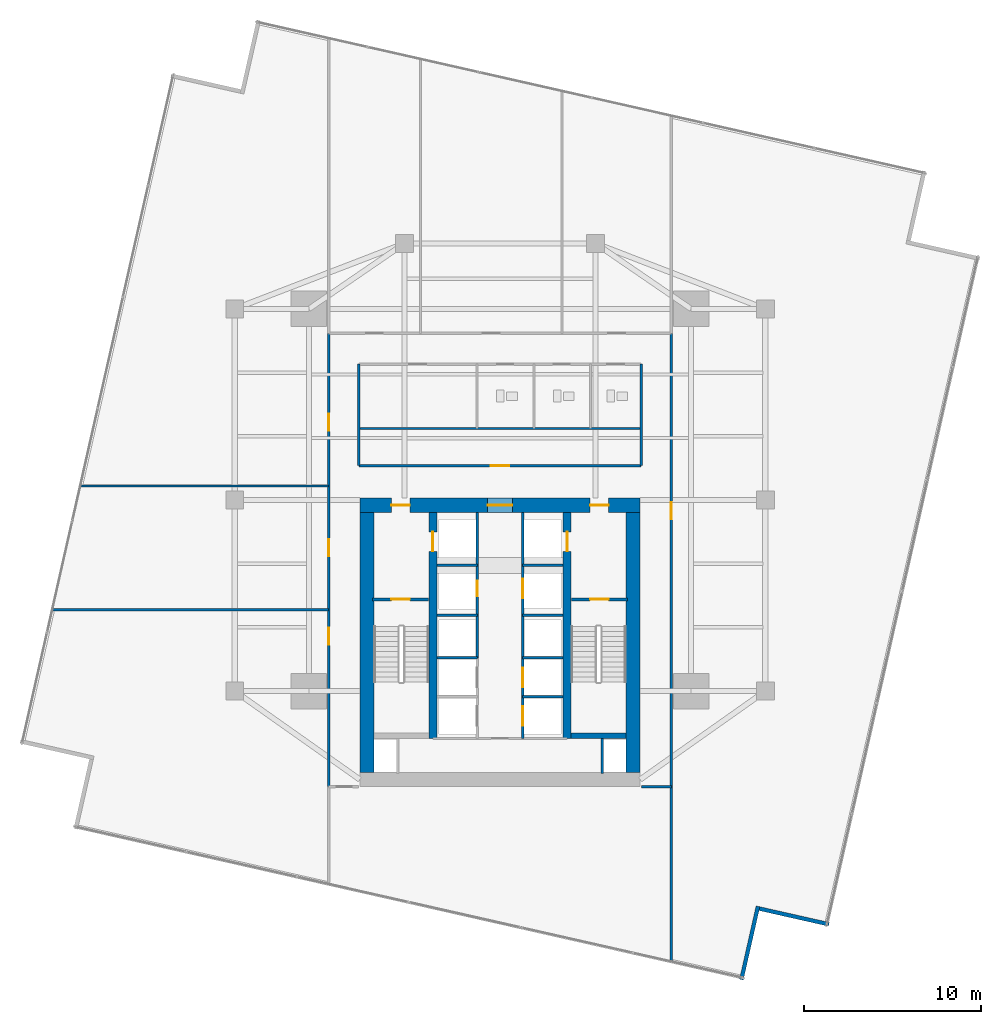
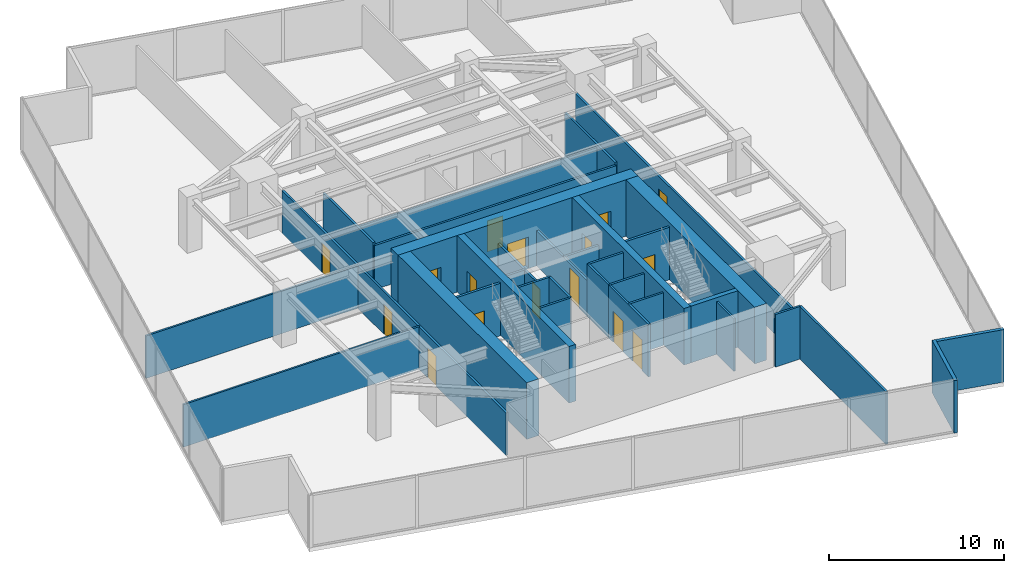
# One storey, part 23 of 27: 33 walls, 16 doors, 16 openings.
"""IFC4 building model written with IfcOpenShell, lengths in metres."""

from ifc_helpers import new_model, si_unit, direction, frame, frame_2d, origin, place, context, subcontext, project, spatial, rectangle, extrude, material, layer, layer_set, type_object, element, fill, save


model = new_model("IFC4")

# Units and contexts
model_context = context("Model", 3, precision=1e-05, world=origin(), true_north=direction((0.0, 1.0)))
body_context = subcontext(model_context, "Body", "Model", "MODEL_VIEW")
ifc_project = project(units=[si_unit("LENGTHUNIT", "METRE"), si_unit("AREAUNIT", "SQUARE_METRE"), si_unit("VOLUMEUNIT", "CUBIC_METRE"), si_unit("PLANEANGLEUNIT", "RADIAN"), si_unit("MASSUNIT", "GRAM", prefix="KILO")], contexts=[model_context])

# Site, building, storey
site_placement = place(None, origin())
site = spatial("IfcSite", under=ifc_project, at=site_placement, CompositionType="ELEMENT")
building_placement = place(site_placement, origin())
building = spatial("IfcBuilding", under=site, at=building_placement, Name="Krantzveldt Concourse Tower", CompositionType="ELEMENT")
storey_placement = place(building_placement, frame((0.0, 0.0, 86.10009765625)))
storey = spatial("IfcBuildingStorey", under=building, at=storey_placement, Name="L20", CompositionType="ELEMENT", Elevation=86.10009765625)

# Walls
ifc_material_1 = material(Name="Anodised aluminium 6063-T6", Category="aluminium")
ifc_layer_1 = layer(ifc_material_1, 0.219970703125, Name="Anodised aluminium 6063-T6", Category="aluminium")
ifc_layer_set_1 = layer_set([ifc_layer_1], Name="Anodised aluminium 6063-T6 (WL-EXT-NOTCH220)")
wall_type_1 = type_object("IfcWallType", Name="WL-EXT-NOTCH220", PredefinedType="ELEMENTEDWALL", material=ifc_layer_set_1)
wall_1_placement = place(storey_placement, frame((49.64453125, -0.404541015625, 0.0), z_axis=(0.0, 0.0, 1.0), x_axis=(0.220686293035, 0.975344841616, 0.0)))
element("IfcWall", 1, at=wall_1_placement, inside=storey, type_object=wall_type_1, Name="EW-L20-NCH05", PredefinedType="ELEMENTEDWALL", context=body_context, shape_type="SweptSolid", body=[
    extrude(rectangle(XDim=4.244873046875, YDim=0.219970703125, at=frame_2d((2.12255859375, 0.0))), origin(), (0.0, 0.0, 1.0), 3.669921875),
])
wall_2_placement = place(storey_placement, frame((50.664306640625, 3.60400390625, 0.0), z_axis=(0.0, 0.0, 1.0), x_axis=(0.975349272951, -0.2206667074, 0.0)))
element("IfcWall", 2, at=wall_2_placement, inside=storey, type_object=wall_type_1, Name="EW-L20-NCH06", PredefinedType="ELEMENTEDWALL", context=body_context, shape_type="SweptSolid", body=[
    extrude(rectangle(XDim=4.02490234375, YDim=0.219970703125, at=frame_2d((2.012451171875, 0.0))), origin(), (0.0, 0.0, 1.0), 3.669921875),
])
ifc_material_2 = material(Name="Fire-rated gypsum plasterboard on steel stud", Category="steel")
ifc_layer_2 = layer(ifc_material_2, 0.1201171875, Name="Fire-rated gypsum plasterboard on steel stud", Category="steel")
ifc_layer_set_2 = layer_set([ifc_layer_2], Name="Fire-rated gypsum plasterboard on steel stud (WL-PART-120)")
wall_type_2 = type_object("IfcWallType", Name="WL-PART-120", PredefinedType="PARTITIONING", material=ifc_layer_set_2)
wall_3_placement = place(storey_placement, frame((28.02001953125, 30.739990234375, 0.0), z_axis=(0.0, 0.0, 1.0), x_axis=(1.0, 0.0, 0.0)))
element("IfcWall", 3, at=wall_3_placement, inside=storey, type_object=wall_type_2, Name="WP-L20-ISLM", PredefinedType="PARTITIONING", context=body_context, shape_type="SweptSolid", body=[
    extrude(rectangle(XDim=15.9599609375, YDim=0.1201171875, at=frame_2d((7.97998046875, 0.0))), origin(), (0.0, 0.0, 1.0), 3.079833984375),
])
wall_4_placement = place(storey_placement, frame((10.69775390625, 20.5, 0.0), z_axis=(0.0, 0.0, 1.0), x_axis=(1.0, 0.0, 0.0)))
element("IfcWall", 4, at=wall_4_placement, inside=storey, type_object=wall_type_2, Name="WP-L20-WD1", PredefinedType="PARTITIONING", context=body_context, shape_type="SweptSolid", body=[
    extrude(rectangle(XDim=15.622314453125, YDim=0.1201171875, at=frame_2d((7.81103515625, 0.0))), origin(), (0.0, 0.0, 1.0), 2.969970703125),
])
wall_5_placement = place(storey_placement, frame((12.28173828125, 27.5, 0.0), z_axis=(0.0, 0.0, 1.0), x_axis=(1.0, 0.0, 0.0)))
element("IfcWall", 5, at=wall_5_placement, inside=storey, type_object=wall_type_2, Name="WP-L20-WD2", PredefinedType="PARTITIONING", context=body_context, shape_type="SweptSolid", body=[
    extrude(rectangle(XDim=14.038330078125, YDim=0.1201171875, at=frame_2d((7.01904296875, 0.0))), origin(), (0.0, 0.0, 1.0), 2.969970703125),
])

# Wall, opening, door
ifc_layer_3 = layer(ifc_material_2, 0.139892578125, Name="Fire-rated gypsum plasterboard on steel stud", Category="steel")
ifc_layer_set_3 = layer_set([ifc_layer_3], Name="Fire-rated gypsum plasterboard on steel stud (WL-PART-140)")
wall_type_3 = type_object("IfcWallType", Name="WL-PART-140", PredefinedType="PARTITIONING", material=ifc_layer_set_3)
wall_6_placement = place(storey_placement, frame((28.02001953125, 28.639892578125, 0.0), z_axis=(0.0, 0.0, 1.0), x_axis=(1.0, 0.0, 0.0)))
wall_6 = element("IfcWall", 6, at=wall_6_placement, inside=storey, type_object=wall_type_3, Name="WP-L20-ISLS", PredefinedType="PARTITIONING", context=body_context, shape_type="SweptSolid", body=[
    extrude(rectangle(XDim=15.9599609375, YDim=0.139892578125, at=frame_2d((7.97998046875, 0.0))), origin(), (0.0, 0.0, 1.0), 3.079833984375),
])
opening_1_placement = place(wall_6_placement, frame((7.455078125, 0.0, 0.0)))
opening_1 = element("IfcOpeningElement", 7, at=opening_1_placement, cuts=wall_6, Name="Opening D-IN105", PredefinedType="OPENING", context=body_context, shape_type="SweptSolid", body=[
    extrude(rectangle(XDim=1.050048828125, YDim=2.14990234375, at=frame_2d((0.52490234375, 1.074951171875))), frame((0.0, 0.080078125, 0.0), z_axis=(0.0, -1.0, 0.0), x_axis=(1.0, 0.0, 0.0)), (0.0, 0.0, 1.0), 0.159912109375),
])
ifc_material_3 = material(Name="Hardwood timber", Category="wood")
door_type_1 = type_object("IfcDoorType", Name="DR-INT-1050", OperationType="SINGLE_SWING_LEFT", PredefinedType="DOOR", material=ifc_material_3)
door_1_placement = place(opening_1_placement, origin())
door_1 = element("IfcDoor", 8, at=door_1_placement, inside=storey, type_object=door_type_1, Name="DR-L20-MIDB", OperationType="SINGLE_SWING_LEFT", OverallHeight=2.14990234375, OverallWidth=1.050048828125, PredefinedType="DOOR", context=body_context, shape_type="SweptSolid", body=[
    extrude(rectangle(XDim=1.050048828125, YDim=2.14990234375, at=frame_2d((0.52490234375, 1.074951171875))), frame((0.0, 0.02490234375, 0.0), z_axis=(0.0, -1.0, 0.0), x_axis=(1.0, 0.0, 0.0)), (0.0, 0.0, 1.0), 0.050048828125),
])
fill(opening_1, door_1)

# Walls
for number, where, z_axis, x_axis, name in (
    (9, (28.02001953125, 28.639892578125, 0.0), (0.0, 0.0, 1.0), (0.0, 1.0, 0.0), "WP-L20-ISLW"),
    (10, (43.97998046875, 28.639892578125, 0.0), (0.0, 0.0, 1.0), (0.0, 1.0, 0.0), "WP-L20-ISLE"),
):
    element("IfcWall", number, at=place(storey_placement, frame(where, z_axis=z_axis, x_axis=x_axis)), inside=storey, type_object=wall_type_3, Name=name, PredefinedType="PARTITIONING", context=body_context, shape_type="SweptSolid", body=[
        extrude(rectangle(XDim=5.739990234375, YDim=0.139892578125, at=frame_2d((2.8701171875, 0.0))), origin(), (0.0, 0.0, 1.0), 3.27001953125),
    ])

# Wall, openings, doors
wall_7_placement = place(storey_placement, frame((26.320068359375, 10.5, 0.0), z_axis=(0.0, 0.0, 1.0), x_axis=(0.0, 1.0, 0.0)))
wall_7 = element("IfcWall", 11, at=wall_7_placement, inside=storey, type_object=wall_type_3, Name="WP-L20-CWEST", PredefinedType="PARTITIONING", context=body_context, shape_type="SweptSolid", body=[
    extrude(rectangle(XDim=25.6201171875, YDim=0.139892578125, at=frame_2d((12.81005859375, 0.0))), origin(), (0.0, 0.0, 1.0), 2.969970703125),
])
opening_2_placement = place(wall_7_placement, frame((8.02490234375, 0.0, 0.0)))
opening_2 = element("IfcOpeningElement", 12, at=opening_2_placement, cuts=wall_7, Name="Opening D-IN095", PredefinedType="OPENING", context=body_context, shape_type="SweptSolid", body=[
    extrude(rectangle(XDim=0.949951171875, YDim=2.10009765625, at=frame_2d((0.47509765625, 1.050048828125))), frame((0.0, 0.080078125, 0.0), z_axis=(0.0, -1.0, 0.0), x_axis=(1.0, 0.0, 0.0)), (0.0, 0.0, 1.0), 0.159912109375),
])
opening_3_placement = place(wall_7_placement, frame((13.02490234375, 0.0, 0.0)))
opening_3 = element("IfcOpeningElement", 13, at=opening_3_placement, cuts=wall_7, Name="Opening D-IN095", PredefinedType="OPENING", context=body_context, shape_type="SweptSolid", body=[
    extrude(rectangle(XDim=0.949951171875, YDim=2.10009765625, at=frame_2d((0.47509765625, 1.050048828125))), frame((0.0, 0.080078125, 0.0), z_axis=(0.0, -1.0, 0.0), x_axis=(1.0, 0.0, 0.0)), (0.0, 0.0, 1.0), 0.159912109375),
])
opening_4_placement = place(wall_7_placement, frame((20.125, 0.0, 0.0)))
opening_4 = element("IfcOpeningElement", 14, at=opening_4_placement, cuts=wall_7, Name="Opening D-IN095", PredefinedType="OPENING", context=body_context, shape_type="SweptSolid", body=[
    extrude(rectangle(XDim=0.949951171875, YDim=2.10009765625, at=frame_2d((0.47509765625, 1.050048828125))), frame((0.0, 0.080078125, 0.0), z_axis=(0.0, -1.0, 0.0), x_axis=(1.0, 0.0, 0.0)), (0.0, 0.0, 1.0), 0.159912109375),
])
door_type_2 = type_object("IfcDoorType", Name="DR-INT-950", OperationType="SINGLE_SWING_LEFT", PredefinedType="DOOR", material=ifc_material_3)
door_2_placement = place(opening_2_placement, origin())
door_2 = element("IfcDoor", 15, at=door_2_placement, inside=storey, type_object=door_type_2, Name="DR-L20-WR1", OperationType="SINGLE_SWING_LEFT", OverallHeight=2.10009765625, OverallWidth=0.949951171875, PredefinedType="DOOR", context=body_context, shape_type="SweptSolid", body=[
    extrude(rectangle(XDim=0.949951171875, YDim=2.10009765625, at=frame_2d((0.47509765625, 1.050048828125))), frame((0.0, 0.02490234375, 0.0), z_axis=(0.0, -1.0, 0.0), x_axis=(1.0, 0.0, 0.0)), (0.0, 0.0, 1.0), 0.050048828125),
])
fill(opening_2, door_2)
door_3_placement = place(opening_3_placement, origin())
door_3 = element("IfcDoor", 16, at=door_3_placement, inside=storey, type_object=door_type_2, Name="DR-L20-WR2", OperationType="SINGLE_SWING_LEFT", OverallHeight=2.10009765625, OverallWidth=0.949951171875, PredefinedType="DOOR", context=body_context, shape_type="SweptSolid", body=[
    extrude(rectangle(XDim=0.949951171875, YDim=2.10009765625, at=frame_2d((0.47509765625, 1.050048828125))), frame((0.0, 0.02490234375, 0.0), z_axis=(0.0, -1.0, 0.0), x_axis=(1.0, 0.0, 0.0)), (0.0, 0.0, 1.0), 0.050048828125),
])
fill(opening_3, door_3)
door_4_placement = place(opening_4_placement, origin())
door_4 = element("IfcDoor", 17, at=door_4_placement, inside=storey, type_object=door_type_2, Name="DR-L20-WR3", OperationType="SINGLE_SWING_LEFT", OverallHeight=2.10009765625, OverallWidth=0.949951171875, PredefinedType="DOOR", context=body_context, shape_type="SweptSolid", body=[
    extrude(rectangle(XDim=0.949951171875, YDim=2.10009765625, at=frame_2d((0.47509765625, 1.050048828125))), frame((0.0, 0.02490234375, 0.0), z_axis=(0.0, -1.0, 0.0), x_axis=(1.0, 0.0, 0.0)), (0.0, 0.0, 1.0), 0.050048828125),
])
fill(opening_4, door_4)

# Wall, opening, door
wall_8_placement = place(storey_placement, frame((45.679931640625, 10.5, 0.0), z_axis=(0.0, 0.0, 1.0), x_axis=(0.0, 1.0, 0.0)))
wall_8 = element("IfcWall", 18, at=wall_8_placement, inside=storey, type_object=wall_type_3, Name="WP-L20-CEAST", PredefinedType="PARTITIONING", context=body_context, shape_type="SweptSolid", body=[
    extrude(rectangle(XDim=25.6201171875, YDim=0.139892578125, at=frame_2d((12.81005859375, 0.0))), origin(), (0.0, 0.0, 1.0), 2.969970703125),
])
opening_5_placement = place(wall_8_placement, frame((15.125, 0.0, 0.0)))
opening_5 = element("IfcOpeningElement", 19, at=opening_5_placement, cuts=wall_8, Name="Opening D-IN095", PredefinedType="OPENING", context=body_context, shape_type="SweptSolid", body=[
    extrude(rectangle(XDim=0.949951171875, YDim=2.10009765625, at=frame_2d((0.47509765625, 1.050048828125))), frame((0.0, 0.080078125, 0.0), z_axis=(0.0, -1.0, 0.0), x_axis=(1.0, 0.0, 0.0)), (0.0, 0.0, 1.0), 0.159912109375),
])
door_5_placement = place(opening_5_placement, origin())
door_5 = element("IfcDoor", 20, at=door_5_placement, inside=storey, type_object=door_type_2, Name="DR-L20-ER1", OperationType="SINGLE_SWING_LEFT", OverallHeight=2.10009765625, OverallWidth=0.949951171875, PredefinedType="DOOR", context=body_context, shape_type="SweptSolid", body=[
    extrude(rectangle(XDim=0.949951171875, YDim=2.10009765625, at=frame_2d((0.47509765625, 1.050048828125))), frame((0.0, 0.02490234375, 0.0), z_axis=(0.0, -1.0, 0.0), x_axis=(1.0, 0.0, 0.0)), (0.0, 0.0, 1.0), 0.050048828125),
])
fill(opening_5, door_5)

# Walls
wall_9_placement = place(storey_placement, frame((44.0, 10.5, 0.0), z_axis=(0.0, 0.0, 1.0), x_axis=(1.0, 0.0, 0.0)))
element("IfcWall", 21, at=wall_9_placement, inside=storey, type_object=wall_type_3, Name="WP-L20-CEBOT", PredefinedType="PARTITIONING", context=body_context, shape_type="SweptSolid", body=[
    extrude(rectangle(XDim=1.679931640625, YDim=0.139892578125, at=frame_2d((0.83984375, 0.0))), origin(), (0.0, 0.0, 1.0), 3.669921875),
])
wall_10_placement = place(storey_placement, frame((45.679931640625, 0.6103515625, 0.0), z_axis=(0.0, 0.0, 1.0), x_axis=(0.0, 1.0, 0.0)))
element("IfcWall", 22, at=wall_10_placement, inside=storey, type_object=wall_type_3, Name="WP-L20-SER", PredefinedType="PARTITIONING", context=body_context, shape_type="SweptSolid", body=[
    extrude(rectangle(XDim=9.8896484375, YDim=0.139892578125, at=frame_2d((4.94482421875, 0.0))), origin(), (0.0, 0.0, 1.0), 3.669921875),
])

# Wall, opening, door
ifc_layer_4 = layer(ifc_material_2, 0.139892578125, Name="Fire-rated gypsum plasterboard on steel stud", Category="steel")
ifc_layer_set_4 = layer_set([ifc_layer_4], Name="Fire-rated gypsum plasterboard on steel stud (WL-PART-FR140)")
wall_type_4 = type_object("IfcWallType", Name="WL-PART-FR140", PredefinedType="PARTITIONING", material=ifc_layer_set_4)
wall_11_placement = place(storey_placement, frame((34.719970703125, 20.199951171875, 0.0), z_axis=(0.0, 0.0, 1.0), x_axis=(0.0, 1.0, 0.0)))
wall_11 = element("IfcWall", 23, at=wall_11_placement, inside=storey, type_object=wall_type_4, Name="WP-L20-SHNW", PredefinedType="PARTITIONING", context=body_context, shape_type="SweptSolid", body=[
    extrude(rectangle(XDim=5.780029296875, YDim=0.139892578125, at=frame_2d((2.89013671875, 0.0))), origin(), (0.0, 0.0, 1.0), 2.469970703125),
])
opening_6_placement = place(wall_11_placement, frame((1.050048828125, 0.0, 0.0)))
opening_6 = element("IfcOpeningElement", 24, at=opening_6_placement, cuts=wall_11, Name="Opening D-FD090", PredefinedType="OPENING", context=body_context, shape_type="SweptSolid", body=[
    extrude(rectangle(XDim=0.89990234375, YDim=2.10009765625, at=frame_2d((0.449951171875, 1.050048828125))), frame((0.0, 0.080078125, 0.0), z_axis=(0.0, -1.0, 0.0), x_axis=(1.0, 0.0, 0.0)), (0.0, 0.0, 1.0), 0.159912109375),
])
door_type_3 = type_object("IfcDoorType", Name="DR-FD60-900", OperationType="SINGLE_SWING_LEFT", PredefinedType="DOOR", material=ifc_material_3)
door_6_placement = place(opening_6_placement, origin())
door_6 = element("IfcDoor", 25, at=door_6_placement, inside=storey, type_object=door_type_3, Name="Electrical Riser Access Door L20", OperationType="SINGLE_SWING_LEFT", OverallHeight=2.10009765625, OverallWidth=0.89990234375, PredefinedType="DOOR", context=body_context, shape_type="SweptSolid", body=[
    extrude(rectangle(XDim=0.89990234375, YDim=2.10009765625, at=frame_2d((0.449951171875, 1.050048828125))), frame((0.0, 0.02490234375, 0.0), z_axis=(0.0, -1.0, 0.0), x_axis=(1.0, 0.0, 0.0)), (0.0, 0.0, 1.0), 0.050048828125),
])
fill(opening_6, door_6)

wall_12_placement = place(storey_placement, frame((37.280029296875, 20.199951171875, 0.0), z_axis=(0.0, 0.0, 1.0), x_axis=(0.0, 1.0, 0.0)))
wall_12 = element("IfcWall", 26, at=wall_12_placement, inside=storey, type_object=wall_type_4, Name="WP-L20-SHNE", PredefinedType="PARTITIONING", context=body_context, shape_type="SweptSolid", body=[
    extrude(rectangle(XDim=5.780029296875, YDim=0.139892578125, at=frame_2d((2.89013671875, 0.0))), origin(), (0.0, 0.0, 1.0), 2.469970703125),
])
opening_7_placement = place(wall_12_placement, frame((0.949951171875, 0.0, 0.0)))
opening_7 = element("IfcOpeningElement", 27, at=opening_7_placement, cuts=wall_12, Name="Opening LD", PredefinedType="OPENING", context=body_context, shape_type="SweptSolid", body=[
    extrude(rectangle(XDim=1.10009765625, YDim=2.14990234375, at=frame_2d((0.550048828125, 1.074951171875))), frame((0.0, 0.080078125, 0.0), z_axis=(0.0, -1.0, 0.0), x_axis=(1.0, 0.0, 0.0)), (0.0, 0.0, 1.0), 0.159912109375),
])
ifc_material_4 = material(Name="Stainless steel 316L", Category="steel")
door_type_4 = type_object("IfcDoorType", Name="DR-SLIDE-LD1100", OperationType="DOUBLE_DOOR_SLIDING", PredefinedType="DOOR", material=ifc_material_4)
door_7_placement = place(opening_7_placement, origin())
door_7 = element("IfcDoor", 28, at=door_7_placement, inside=storey, type_object=door_type_4, Name="LD-L20-GL1", OperationType="DOUBLE_DOOR_SLIDING", OverallHeight=2.14990234375, OverallWidth=1.10009765625, PredefinedType="DOOR", context=body_context, shape_type="SweptSolid", body=[
    extrude(rectangle(XDim=1.10009765625, YDim=2.14990234375, at=frame_2d((0.550048828125, 1.074951171875))), frame((0.0, 0.02490234375, 0.0), z_axis=(0.0, -1.0, 0.0), x_axis=(1.0, 0.0, 0.0)), (0.0, 0.0, 1.0), 0.050048828125),
])
fill(opening_7, door_7)

# Walls
for number, where, z_axis, x_axis, name in (
    (29, (32.449951171875, 23.0, 0.0), (0.0, 0.0, 1.0), (1.0, 0.0, 0.0), "WP-L20-RISH"),
    (30, (37.280029296875, 23.0, 0.0), (0.0, 0.0, 1.0), (1.0, 0.0, 0.0), "WP-L20-GLH"),
):
    element("IfcWall", number, at=place(storey_placement, frame(where, z_axis=z_axis, x_axis=x_axis)), inside=storey, type_object=wall_type_4, Name=name, PredefinedType="PARTITIONING", context=body_context, shape_type="SweptSolid", body=[
        extrude(rectangle(XDim=2.27001953125, YDim=0.139892578125, at=frame_2d((1.135009765625, 0.0))), origin(), (0.0, 0.0, 1.0), 2.469970703125),
    ])
for number, where, z_axis, x_axis, name in (
    (31, (34.719970703125, 17.780029296875, 0.0), (0.0, 0.0, 1.0), (0.0, 1.0, 0.0), "WP-L20-SHNW2"),
    (32, (37.280029296875, 17.780029296875, 0.0), (0.0, 0.0, 1.0), (0.0, 1.0, 0.0), "WP-L20-SHNE2"),
):
    element("IfcWall", number, at=place(storey_placement, frame(where, z_axis=z_axis, x_axis=x_axis)), inside=storey, type_object=wall_type_4, Name=name, PredefinedType="PARTITIONING", context=body_context, shape_type="SweptSolid", body=[
        extrude(rectangle(XDim=2.419921875, YDim=0.139892578125, at=frame_2d((1.2099609375, 0.0))), origin(), (0.0, 0.0, 1.0), 3.669921875),
    ])
for number, where, z_axis, x_axis, name in (
    (33, (32.449951171875, 17.780029296875, 0.0), (0.0, 0.0, 1.0), (1.0, 0.0, 0.0), "WP-L20-DIVW2"),
    (34, (32.449951171875, 20.179931640625, 0.0), (0.0, 0.0, 1.0), (1.0, 0.0, 0.0), "WP-L20-DIVW3"),
    (35, (37.280029296875, 17.780029296875, 0.0), (0.0, 0.0, 1.0), (1.0, 0.0, 0.0), "WP-L20-DIVE2"),
    (36, (37.280029296875, 20.179931640625, 0.0), (0.0, 0.0, 1.0), (1.0, 0.0, 0.0), "WP-L20-DIVE3"),
):
    element("IfcWall", number, at=place(storey_placement, frame(where, z_axis=z_axis, x_axis=x_axis)), inside=storey, type_object=wall_type_4, Name=name, PredefinedType="PARTITIONING", context=body_context, shape_type="SweptSolid", body=[
        extrude(rectangle(XDim=2.27001953125, YDim=0.139892578125, at=frame_2d((1.135009765625, 0.0))), origin(), (0.0, 0.0, 1.0), 3.669921875),
    ])

# Wall, openings, doors
wall_13_placement = place(storey_placement, frame((37.280029296875, 13.219970703125, 0.0), z_axis=(0.0, 0.0, 1.0), x_axis=(0.0, 1.0, 0.0)))
wall_13 = element("IfcWall", 37, at=wall_13_placement, inside=storey, type_object=wall_type_4, Name="WP-L20-SHSE", PredefinedType="PARTITIONING", context=body_context, shape_type="SweptSolid", body=[
    extrude(rectangle(XDim=4.56005859375, YDim=0.139892578125, at=frame_2d((2.280029296875, 0.0))), origin(), (0.0, 0.0, 1.0), 3.669921875),
])
opening_8_placement = place(wall_13_placement, frame((0.7099609375, 0.0, 0.0)))
opening_8 = element("IfcOpeningElement", 38, at=opening_8_placement, cuts=wall_13, Name="Opening LD", PredefinedType="OPENING", context=body_context, shape_type="SweptSolid", body=[
    extrude(rectangle(XDim=1.10009765625, YDim=2.14990234375, at=frame_2d((0.550048828125, 1.074951171875))), frame((0.0, 0.080078125, 0.0), z_axis=(0.0, -1.0, 0.0), x_axis=(1.0, 0.0, 0.0)), (0.0, 0.0, 1.0), 0.159912109375),
])
opening_9_placement = place(wall_13_placement, frame((2.909912109375, 0.0, 0.0)))
opening_9 = element("IfcOpeningElement", 39, at=opening_9_placement, cuts=wall_13, Name="Opening LD", PredefinedType="OPENING", context=body_context, shape_type="SweptSolid", body=[
    extrude(rectangle(XDim=1.10009765625, YDim=2.14990234375, at=frame_2d((0.550048828125, 1.074951171875))), frame((0.0, 0.080078125, 0.0), z_axis=(0.0, -1.0, 0.0), x_axis=(1.0, 0.0, 0.0)), (0.0, 0.0, 1.0), 0.159912109375),
])
door_8_placement = place(opening_8_placement, origin())
door_8 = element("IfcDoor", 40, at=door_8_placement, inside=storey, type_object=door_type_4, Name="LD-L20-PM1", OperationType="DOUBLE_DOOR_SLIDING", OverallHeight=2.14990234375, OverallWidth=1.10009765625, PredefinedType="DOOR", context=body_context, shape_type="SweptSolid", body=[
    extrude(rectangle(XDim=1.10009765625, YDim=2.14990234375, at=frame_2d((0.550048828125, 1.074951171875))), frame((0.0, 0.02490234375, 0.0), z_axis=(0.0, -1.0, 0.0), x_axis=(1.0, 0.0, 0.0)), (0.0, 0.0, 1.0), 0.050048828125),
])
fill(opening_8, door_8)
door_9_placement = place(opening_9_placement, origin())
door_9 = element("IfcDoor", 41, at=door_9_placement, inside=storey, type_object=door_type_4, Name="LD-L20-PM2", OperationType="DOUBLE_DOOR_SLIDING", OverallHeight=2.14990234375, OverallWidth=1.10009765625, PredefinedType="DOOR", context=body_context, shape_type="SweptSolid", body=[
    extrude(rectangle(XDim=1.10009765625, YDim=2.14990234375, at=frame_2d((0.550048828125, 1.074951171875))), frame((0.0, 0.02490234375, 0.0), z_axis=(0.0, -1.0, 0.0), x_axis=(1.0, 0.0, 0.0)), (0.0, 0.0, 1.0), 0.050048828125),
])
fill(opening_9, door_9)

# Walls
wall_14_placement = place(storey_placement, frame((37.280029296875, 15.580078125, 0.0), z_axis=(0.0, 0.0, 1.0), x_axis=(1.0, 0.0, 0.0)))
element("IfcWall", 42, at=wall_14_placement, inside=storey, type_object=wall_type_4, Name="WP-L20-DIVE1", PredefinedType="PARTITIONING", context=body_context, shape_type="SweptSolid", body=[
    extrude(rectangle(XDim=2.27001953125, YDim=0.139892578125, at=frame_2d((1.135009765625, 0.0))), origin(), (0.0, 0.0, 1.0), 3.669921875),
])
wall_15_placement = place(storey_placement, frame((41.780029296875, 11.25, 0.0), z_axis=(0.0, 0.0, 1.0), x_axis=(0.0, 1.0, 0.0)))
element("IfcWall", 43, at=wall_15_placement, inside=storey, type_object=wall_type_4, Name="WP-L20-RSE", PredefinedType="PARTITIONING", context=body_context, shape_type="SweptSolid", body=[
    extrude(rectangle(XDim=1.969970703125, YDim=0.1201171875, at=frame_2d((0.98486328125, 0.0))), origin(), (0.0, 0.0, 1.0), 3.669921875),
])

# Wall, opening, door
ifc_layer_5 = layer(ifc_material_2, 0.159912109375, Name="Fire-rated gypsum plasterboard on steel stud", Category="steel")
ifc_layer_set_5 = layer_set([ifc_layer_5], Name="Fire-rated gypsum plasterboard on steel stud (WL-PART-FR160)")
wall_type_5 = type_object("IfcWallType", Name="WL-PART-FR160", PredefinedType="PARTITIONING", material=ifc_layer_set_5)
wall_16_placement = place(storey_placement, frame((28.800048828125, 21.080078125, 0.0), z_axis=(0.0, 0.0, 1.0), x_axis=(1.0, 0.0, 0.0)))
wall_16 = element("IfcWall", 44, at=wall_16_placement, inside=storey, type_object=wall_type_5, Name="WP-L20-ST1", PredefinedType="PARTITIONING", context=body_context, shape_type="SweptSolid", body=[
    extrude(rectangle(XDim=3.159912109375, YDim=0.159912109375, at=frame_2d((1.580078125, 0.0))), origin(), (0.0, 0.0, 1.0), 3.669921875),
])
opening_10_placement = place(wall_16_placement, frame((1.054931640625, 0.0, 0.0)))
opening_10 = element("IfcOpeningElement", 45, at=opening_10_placement, cuts=wall_16, Name="Opening D-FD105", PredefinedType="OPENING", context=body_context, shape_type="SweptSolid", body=[
    extrude(rectangle(XDim=1.050048828125, YDim=2.10009765625, at=frame_2d((0.52490234375, 1.050048828125))), frame((0.0, 0.08984375, 0.0), z_axis=(0.0, -1.0, 0.0), x_axis=(1.0, 0.0, 0.0)), (0.0, 0.0, 1.0), 0.179931640625),
])
ifc_material_5 = material(Name="Galvanised steel", Category="steel")
door_type_5 = type_object("IfcDoorType", Name="DR-FD120-1050", OperationType="SINGLE_SWING_LEFT", PredefinedType="DOOR", material=ifc_material_5)
door_10_placement = place(opening_10_placement, origin())
door_10 = element("IfcDoor", 46, at=door_10_placement, inside=storey, type_object=door_type_5, Name="DR-L20-ST1", OperationType="SINGLE_SWING_RIGHT", OverallHeight=2.10009765625, OverallWidth=1.050048828125, PredefinedType="DOOR", context=body_context, shape_type="SweptSolid", body=[
    extrude(rectangle(XDim=1.050048828125, YDim=2.10009765625, at=frame_2d((0.52490234375, 1.050048828125))), frame((0.0, 0.02490234375, 0.0), z_axis=(0.0, -1.0, 0.0), x_axis=(1.0, 0.0, 0.0)), (0.0, 0.0, 1.0), 0.050048828125),
])
fill(opening_10, door_10)

wall_17_placement = place(storey_placement, frame((40.0400390625, 21.080078125, 0.0), z_axis=(0.0, 0.0, 1.0), x_axis=(1.0, 0.0, 0.0)))
wall_17 = element("IfcWall", 47, at=wall_17_placement, inside=storey, type_object=wall_type_5, Name="WP-L20-ST2", PredefinedType="PARTITIONING", context=body_context, shape_type="SweptSolid", body=[
    extrude(rectangle(XDim=3.159912109375, YDim=0.159912109375, at=frame_2d((1.580078125, 0.0))), origin(), (0.0, 0.0, 1.0), 3.669921875),
])
opening_11_placement = place(wall_17_placement, frame((1.054931640625, 0.0, 0.0)))
opening_11 = element("IfcOpeningElement", 48, at=opening_11_placement, cuts=wall_17, Name="Opening D-FD105", PredefinedType="OPENING", context=body_context, shape_type="SweptSolid", body=[
    extrude(rectangle(XDim=1.050048828125, YDim=2.10009765625, at=frame_2d((0.52490234375, 1.050048828125))), frame((0.0, 0.08984375, 0.0), z_axis=(0.0, -1.0, 0.0), x_axis=(1.0, 0.0, 0.0)), (0.0, 0.0, 1.0), 0.179931640625),
])
door_11_placement = place(opening_11_placement, origin())
door_11 = element("IfcDoor", 49, at=door_11_placement, inside=storey, type_object=door_type_5, Name="DR-L20-ST2", OperationType="SINGLE_SWING_LEFT", OverallHeight=2.10009765625, OverallWidth=1.050048828125, PredefinedType="DOOR", context=body_context, shape_type="SweptSolid", body=[
    extrude(rectangle(XDim=1.050048828125, YDim=2.10009765625, at=frame_2d((0.52490234375, 1.050048828125))), frame((0.0, 0.02490234375, 0.0), z_axis=(0.0, -1.0, 0.0), x_axis=(1.0, 0.0, 0.0)), (0.0, 0.0, 1.0), 0.050048828125),
])
fill(opening_11, door_11)

# Wall
ifc_material_6 = material(Name="Concrete C50/60", Category="concrete")
ifc_layer_6 = layer(ifc_material_6, 0.300048828125, Name="Concrete C50/60", Category="concrete")
ifc_layer_set_6 = layer_set([ifc_layer_6], Name="Concrete C50/60 (WL-SHEAR-300)")
wall_type_6 = type_object("IfcWallType", Name="WL-SHEAR-300", PredefinedType="SHEAR", material=ifc_layer_set_6)
wall_18_placement = place(storey_placement, frame((40.02001953125, 13.3701171875, 0.0), z_axis=(0.0, 0.0, 1.0), x_axis=(1.0, 0.0, 0.0)))
element("IfcWall", 50, at=wall_18_placement, inside=storey, type_object=wall_type_6, Name="CW-L20-ST2S", PredefinedType="SHEAR", context=body_context, shape_type="SweptSolid", body=[
    extrude(rectangle(XDim=3.10009765625, YDim=0.300048828125, at=frame_2d((1.550048828125, 0.0))), origin(), (0.0, 0.0, 1.0), 3.949951171875),
])

# Wall, opening, door
ifc_layer_7 = layer(ifc_material_6, 0.449951171875, Name="Concrete C50/60", Category="concrete")
ifc_layer_set_7 = layer_set([ifc_layer_7], Name="Concrete C50/60 (WL-SHEAR-450)")
wall_type_7 = type_object("IfcWallType", Name="WL-SHEAR-450", PredefinedType="SHEAR", material=ifc_layer_set_7)
wall_19_placement = place(storey_placement, frame((32.205078125, 13.219970703125, 0.0), z_axis=(0.0, 0.0, 1.0), x_axis=(0.0, 1.0, 0.0)))
wall_19 = element("IfcWall", 51, at=wall_19_placement, inside=storey, type_object=wall_type_7, Name="CW-L20-IW", PredefinedType="SHEAR", context=body_context, shape_type="SweptSolid", body=[
    extrude(rectangle(XDim=12.780029296875, YDim=0.449951171875, at=frame_2d((6.39013671875, 0.0))), origin(), (0.0, 0.0, 1.0), 3.949951171875),
])
opening_12_placement = place(wall_19_placement, frame((10.580078125, 0.0, 0.0)))
opening_12 = element("IfcOpeningElement", 52, at=opening_12_placement, cuts=wall_19, Name="Opening LD", PredefinedType="OPENING", context=body_context, shape_type="SweptSolid", body=[
    extrude(rectangle(XDim=1.10009765625, YDim=2.14990234375, at=frame_2d((0.550048828125, 1.074951171875))), frame((0.0, 0.23486328125, 0.0), z_axis=(0.0, -1.0, 0.0), x_axis=(1.0, 0.0, 0.0)), (0.0, 0.0, 1.0), 0.469970703125),
])
door_12_placement = place(opening_12_placement, origin())
door_12 = element("IfcDoor", 53, at=door_12_placement, inside=storey, type_object=door_type_4, Name="LD-L20-FL1", OperationType="DOUBLE_DOOR_SLIDING", OverallHeight=2.14990234375, OverallWidth=1.10009765625, PredefinedType="DOOR", context=body_context, shape_type="SweptSolid", body=[
    extrude(rectangle(XDim=1.10009765625, YDim=2.14990234375, at=frame_2d((0.550048828125, 1.074951171875))), frame((0.0, 0.02490234375, 0.0), z_axis=(0.0, -1.0, 0.0), x_axis=(1.0, 0.0, 0.0)), (0.0, 0.0, 1.0), 0.050048828125),
])
fill(opening_12, door_12)

wall_20_placement = place(storey_placement, frame((39.794921875, 13.219970703125, 0.0), z_axis=(0.0, 0.0, 1.0), x_axis=(0.0, 1.0, 0.0)))
wall_20 = element("IfcWall", 54, at=wall_20_placement, inside=storey, type_object=wall_type_7, Name="CW-L20-IE", PredefinedType="SHEAR", context=body_context, shape_type="SweptSolid", body=[
    extrude(rectangle(XDim=12.780029296875, YDim=0.449951171875, at=frame_2d((6.39013671875, 0.0))), origin(), (0.0, 0.0, 1.0), 3.949951171875),
])
opening_13_placement = place(wall_20_placement, frame((10.580078125, 0.0, 0.0)))
opening_13 = element("IfcOpeningElement", 55, at=opening_13_placement, cuts=wall_20, Name="Opening LD", PredefinedType="OPENING", context=body_context, shape_type="SweptSolid", body=[
    extrude(rectangle(XDim=1.10009765625, YDim=2.14990234375, at=frame_2d((0.550048828125, 1.074951171875))), frame((0.0, 0.23486328125, 0.0), z_axis=(0.0, -1.0, 0.0), x_axis=(1.0, 0.0, 0.0)), (0.0, 0.0, 1.0), 0.469970703125),
])
door_13_placement = place(opening_13_placement, origin())
door_13 = element("IfcDoor", 56, at=door_13_placement, inside=storey, type_object=door_type_4, Name="LD-L20-FL2", OperationType="DOUBLE_DOOR_SLIDING", OverallHeight=2.14990234375, OverallWidth=1.10009765625, PredefinedType="DOOR", context=body_context, shape_type="SweptSolid", body=[
    extrude(rectangle(XDim=1.10009765625, YDim=2.14990234375, at=frame_2d((0.550048828125, 1.074951171875))), frame((0.0, 0.02490234375, 0.0), z_axis=(0.0, -1.0, 0.0), x_axis=(1.0, 0.0, 0.0)), (0.0, 0.0, 1.0), 0.050048828125),
])
fill(opening_13, door_13)

# Wall, openings, doors
ifc_material_7 = material(Name="Concrete C60/75", Category="concrete")
ifc_layer_8 = layer(ifc_material_7, 0.800048828125, Name="Concrete C60/75", Category="concrete")
ifc_layer_set_8 = layer_set([ifc_layer_8], Name="Concrete C60/75 (WL-SHEAR-800)")
wall_type_8 = type_object("IfcWallType", Name="WL-SHEAR-800", PredefinedType="SHEAR", material=ifc_layer_set_8)
wall_21_placement = place(storey_placement, frame((28.080078125, 26.39990234375, 0.0), z_axis=(0.0, 0.0, 1.0), x_axis=(1.0, 0.0, 0.0)))
wall_21 = element("IfcWall", 57, at=wall_21_placement, inside=storey, type_object=wall_type_8, Name="CW-L20-N", PredefinedType="SHEAR", context=body_context, shape_type="SweptSolid", body=[
    extrude(rectangle(XDim=15.83984375, YDim=0.800048828125, at=frame_2d((7.919921875, 0.0))), origin(), (0.0, 0.0, 1.0), 3.949951171875),
])
opening_14_placement = place(wall_21_placement, frame((7.219970703125, 0.0, 0.0)))
opening_14 = element("IfcOpeningElement", 58, at=opening_14_placement, cuts=wall_21, Name="Opening D-DB140", PredefinedType="OPENING", context=body_context, shape_type="SweptSolid", body=[
    extrude(rectangle(XDim=1.39990234375, YDim=2.199951171875, at=frame_2d((0.699951171875, 1.10009765625))), frame((0.0, 0.41015625, 0.0), z_axis=(0.0, -1.0, 0.0), x_axis=(1.0, 0.0, 0.0)), (0.0, 0.0, 1.0), 0.820068359375),
])
opening_15_placement = place(wall_21_placement, frame((1.77490234375, 0.0, 0.0)))
opening_15 = element("IfcOpeningElement", 59, at=opening_15_placement, cuts=wall_21, Name="Opening D-FD105", PredefinedType="OPENING", context=body_context, shape_type="SweptSolid", body=[
    extrude(rectangle(XDim=1.050048828125, YDim=2.10009765625, at=frame_2d((0.52490234375, 1.050048828125))), frame((0.0, 0.41015625, 0.0), z_axis=(0.0, -1.0, 0.0), x_axis=(1.0, 0.0, 0.0)), (0.0, 0.0, 1.0), 0.820068359375),
])
opening_16_placement = place(wall_21_placement, frame((13.014892578125, 0.0, 0.0)))
opening_16 = element("IfcOpeningElement", 60, at=opening_16_placement, cuts=wall_21, Name="Opening D-FD105", PredefinedType="OPENING", context=body_context, shape_type="SweptSolid", body=[
    extrude(rectangle(XDim=1.050048828125, YDim=2.10009765625, at=frame_2d((0.52490234375, 1.050048828125))), frame((0.0, 0.41015625, 0.0), z_axis=(0.0, -1.0, 0.0), x_axis=(1.0, 0.0, 0.0)), (0.0, 0.0, 1.0), 0.820068359375),
])
door_type_6 = type_object("IfcDoorType", Name="DR-DBL-1400", OperationType="DOUBLE_DOOR_SINGLE_SWING", PredefinedType="DOOR", material=ifc_material_1)
door_14_placement = place(opening_14_placement, origin())
door_14 = element("IfcDoor", 61, at=door_14_placement, inside=storey, type_object=door_type_6, Name="DR-L20-LLB", OperationType="DOUBLE_DOOR_SINGLE_SWING", OverallHeight=2.199951171875, OverallWidth=1.39990234375, PredefinedType="DOOR", context=body_context, shape_type="SweptSolid", body=[
    extrude(rectangle(XDim=1.39990234375, YDim=2.199951171875, at=frame_2d((0.699951171875, 1.10009765625))), frame((0.0, 0.02490234375, 0.0), z_axis=(0.0, -1.0, 0.0), x_axis=(1.0, 0.0, 0.0)), (0.0, 0.0, 1.0), 0.050048828125),
])
fill(opening_14, door_14)
door_15_placement = place(opening_15_placement, origin())
door_15 = element("IfcDoor", 62, at=door_15_placement, inside=storey, type_object=door_type_5, Name="DR-L20-FFL1", OperationType="SINGLE_SWING_LEFT", OverallHeight=2.10009765625, OverallWidth=1.050048828125, PredefinedType="DOOR", context=body_context, shape_type="SweptSolid", body=[
    extrude(rectangle(XDim=1.050048828125, YDim=2.10009765625, at=frame_2d((0.52490234375, 1.050048828125))), frame((0.0, 0.02490234375, 0.0), z_axis=(0.0, -1.0, 0.0), x_axis=(1.0, 0.0, 0.0)), (0.0, 0.0, 1.0), 0.050048828125),
])
fill(opening_15, door_15)
door_16_placement = place(opening_16_placement, origin())
door_16 = element("IfcDoor", 63, at=door_16_placement, inside=storey, type_object=door_type_5, Name="DR-L20-FFL2", OperationType="SINGLE_SWING_RIGHT", OverallHeight=2.10009765625, OverallWidth=1.050048828125, PredefinedType="DOOR", context=body_context, shape_type="SweptSolid", body=[
    extrude(rectangle(XDim=1.050048828125, YDim=2.10009765625, at=frame_2d((0.52490234375, 1.050048828125))), frame((0.0, 0.02490234375, 0.0), z_axis=(0.0, -1.0, 0.0), x_axis=(1.0, 0.0, 0.0)), (0.0, 0.0, 1.0), 0.050048828125),
])
fill(opening_16, door_16)

# Walls
for number, where, z_axis, x_axis, name in (
    (64, (28.47998046875, 11.300048828125, 0.0), (0.0, 0.0, 1.0), (0.0, 1.0, 0.0), "CW-L20-W"),
    (65, (43.52001953125, 11.300048828125, 0.0), (0.0, 0.0, 1.0), (0.0, 1.0, 0.0), "CW-L20-E"),
):
    element("IfcWall", number, at=place(storey_placement, frame(where, z_axis=z_axis, x_axis=x_axis)), inside=storey, type_object=wall_type_8, Name=name, PredefinedType="SHEAR", context=body_context, shape_type="SweptSolid", body=[
        extrude(rectangle(XDim=14.699951171875, YDim=0.800048828125, at=frame_2d((7.35009765625, 0.0))), origin(), (0.0, 0.0, 1.0), 3.949951171875),
    ])

save(model, "model.ifc")
